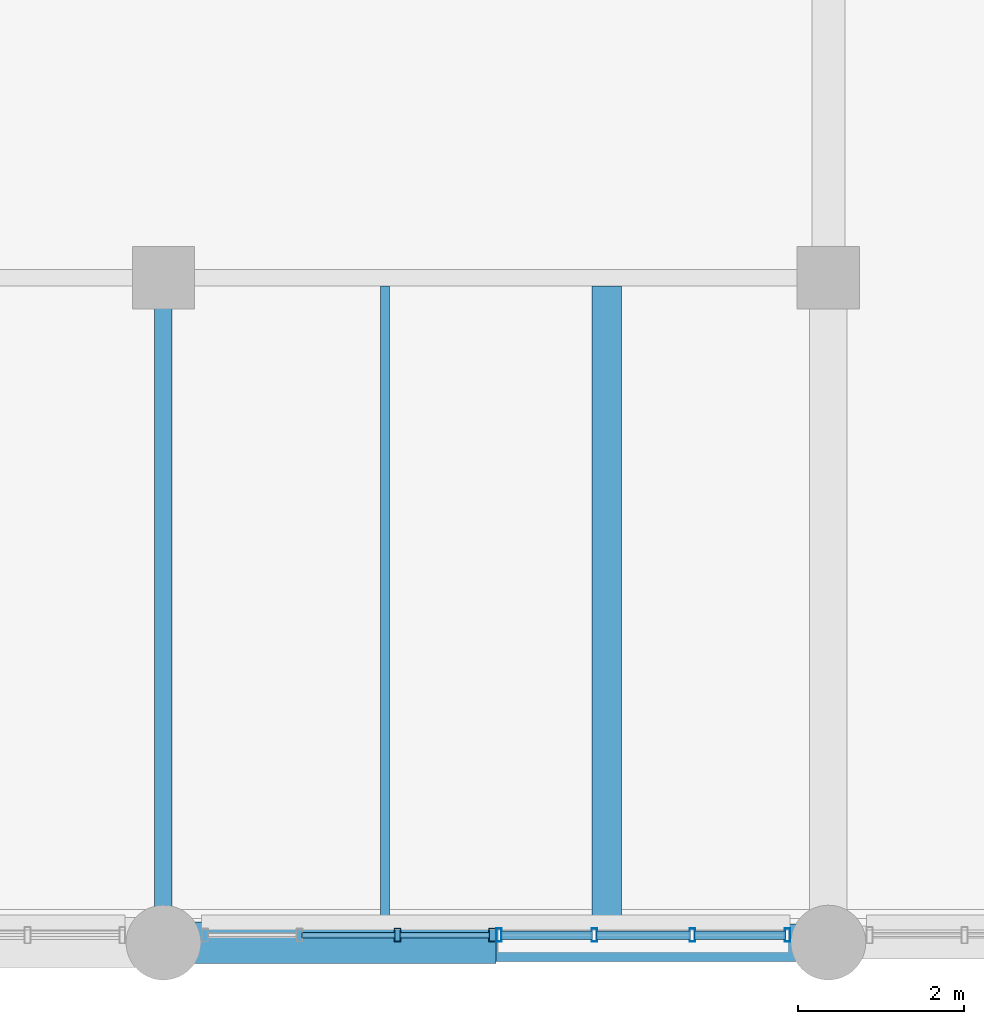
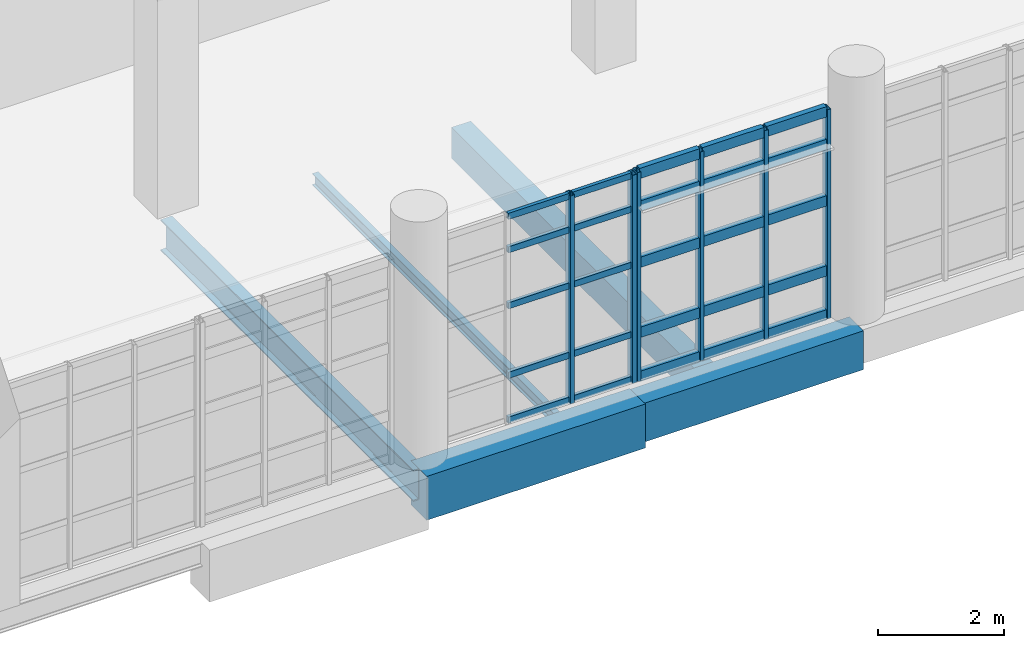
# One storey, part 20 of 127: 31 members, 5 beams, 2 elements without a shape of their own.
"""IFC4 building model written with IfcOpenShell, lengths in metres."""

from ifc_helpers import new_model, si_unit, derived_unit, direction, frame, origin, origin_2d, place, context, subcontext, project, spatial, rectangle, hollow_rectangle, i_section, extrude, material, layer, layer_set, material_profile, profile_set, type_object, element, aggregate, save


model = new_model("IFC4")

# Units and contexts
model_context = context("Model", 3, precision=1e-05, world=origin(), true_north=direction((0.0, 1.0)))
body_context = subcontext(model_context, "Body", "Model", "MODEL_VIEW")
ifc_project = project(units=[si_unit("LENGTHUNIT", "METRE"), si_unit("AREAUNIT", "SQUARE_METRE"), si_unit("VOLUMEUNIT", "CUBIC_METRE"), si_unit("PLANEANGLEUNIT", "RADIAN"), si_unit("MASSUNIT", "GRAM", prefix="KILO"), derived_unit("THERMALTRANSMITTANCEUNIT", [(si_unit("POWERUNIT", "WATT"), 1), (si_unit("LENGTHUNIT", "METRE"), -2), (si_unit("THERMODYNAMICTEMPERATUREUNIT", "KELVIN"), -1)])], contexts=[model_context])

# Site, building, storey
site_placement = place(None, origin())
site = spatial("IfcSite", under=ifc_project, at=site_placement, CompositionType="ELEMENT")
building_placement = place(site_placement, origin())
building = spatial("IfcBuilding", under=site, at=building_placement, Name="Nallur Shell Playhouse", CompositionType="ELEMENT")
storey_placement = place(building_placement, frame((0.0, 0.0, 5.39990234375)))
storey = spatial("IfcBuildingStorey", under=building, at=storey_placement, Name="L02", CompositionType="ELEMENT", Elevation=5.39990234375)

# Beams
ifc_material_1 = material(Name="Steel E250", Category="steel")
ifc_material_profile_1 = material_profile(ifc_material_1, i_section(OverallWidth=0.110107421875, OverallDepth=0.22509765625, WebThickness=0.006591796875, FlangeThickness=0.01171875, FilletRadius=0.011962890625, at=origin_2d()), Name="ISMB 225")
ifc_profile_set_1 = profile_set([ifc_material_profile_1], Name="Steel E250")
beam_type_1 = type_object("IfcBeamType", Name="BM-JST-ISMB225", PredefinedType="JOIST", material=ifc_profile_set_1)
beam_1_placement = place(storey_placement, frame((50.666748046875, 8.248046875, -0.392333984375), z_axis=(0.0, 1.0, 0.0), x_axis=(-1.0, 0.0, 0.0)))
element("IfcBeam", 1, at=beam_1_placement, inside=storey, type_object=beam_type_1, Name="L02 secondary joist 6-A-521", PredefinedType="JOIST", context=body_context, shape_type="SweptSolid", body=[
    extrude(i_section(OverallWidth=0.110107421875, OverallDepth=0.22509765625, WebThickness=0.006591796875, FlangeThickness=0.01171875, FilletRadius=0.011962890625, at=origin_2d()), origin(), (0.0, 0.0, 1.0), 7.654052734375),
])
ifc_material_2 = material(Name="Concrete M30", Category="concrete")
ifc_material_profile_2 = material_profile(ifc_material_2, rectangle(XDim=0.35009765625, YDim=0.60009765625, at=origin_2d()), Name="RC 350x600")
ifc_profile_set_2 = profile_set([ifc_material_profile_2], Name="Concrete M30")
beam_type_2 = type_object("IfcBeamType", Name="BM-RC-350x600", PredefinedType="JOIST", material=ifc_profile_set_2)
beam_2_placement = place(storey_placement, frame((53.333251953125, 8.222900390625, -0.579833984375), z_axis=(0.0, 1.0, 0.0), x_axis=(-1.0, 0.0, 0.0)))
element("IfcBeam", 2, at=beam_2_placement, inside=storey, type_object=beam_type_2, Name="L02 secondary joist 6-A-522", PredefinedType="JOIST", context=body_context, shape_type="SweptSolid", body=[
    extrude(rectangle(XDim=0.35009765625, YDim=0.60009765625, at=origin_2d()), origin(), (0.0, 0.0, 1.0), 7.67919921875),
])
ifc_material_3 = material(Name="Concrete M35", Category="concrete")
ifc_material_profile_3 = material_profile(ifc_material_3, rectangle(XDim=0.449951171875, YDim=0.75, at=origin_2d()), Name="RC 450x750")
ifc_profile_set_3 = profile_set([ifc_material_profile_3], Name="Concrete M35")
beam_type_3 = type_object("IfcBeamType", Name="BM-RC-450x750", PredefinedType="BEAM", material=ifc_profile_set_3)
beam_3_placement = place(storey_placement, frame((52.0, 8.0, -0.65478515625), z_axis=(1.0, 0.0, 0.0), x_axis=(0.0, 1.0, 0.0)))
element("IfcBeam", 3, at=beam_3_placement, inside=storey, type_object=beam_type_3, Name="L02 girder X-A-318", PredefinedType="BEAM", context=body_context, shape_type="SweptSolid", body=[
    extrude(rectangle(XDim=0.449951171875, YDim=0.75, at=origin_2d()), origin(), (0.0, 0.0, 1.0), 4.0),
])
ifc_material_4 = material(Name="Concrete M40", Category="concrete")
ifc_material_profile_4 = material_profile(ifc_material_4, rectangle(XDim=0.5, YDim=0.85009765625, at=origin_2d()), Name="RC 500x850")
ifc_profile_set_4 = profile_set([ifc_material_profile_4], Name="Concrete M40")
beam_type_4 = type_object("IfcBeamType", Name="BM-RC-500x850", PredefinedType="BEAM", material=ifc_profile_set_4)
beam_4_placement = place(storey_placement, frame((48.0, 8.0, -0.704833984375), z_axis=(1.0, 0.0, 0.0), x_axis=(0.0, 1.0, 0.0)))
element("IfcBeam", 4, at=beam_4_placement, inside=storey, type_object=beam_type_4, Name="L02 girder X-A-317", PredefinedType="BEAM", context=body_context, shape_type="SweptSolid", body=[
    extrude(rectangle(XDim=0.5, YDim=0.85009765625, at=origin_2d()), origin(), (0.0, 0.0, 1.0), 4.0),
])
ifc_material_5 = material(Name="Steel E350", Category="steel")
ifc_material_profile_5 = material_profile(ifc_material_5, i_section(OverallWidth=0.2099609375, OverallDepth=0.60009765625, WebThickness=0.011962890625, FlangeThickness=0.020751953125, FilletRadius=0.02001953125, at=origin_2d()), Name="ISMB 600")
ifc_profile_set_5 = profile_set([ifc_material_profile_5], Name="Steel E350")
beam_type_5 = type_object("IfcBeamType", Name="BM-ST-ISMB600", PredefinedType="BEAM", material=ifc_profile_set_5)
beam_5_placement = place(storey_placement, frame((48.0, 8.0, -0.579833984375), z_axis=(0.0, 1.0, 0.0), x_axis=(-1.0, 0.0, 0.0)))
element("IfcBeam", 5, at=beam_5_placement, inside=storey, type_object=beam_type_5, Name="L02 girder Y-6-424", PredefinedType="BEAM", context=body_context, shape_type="SweptSolid", body=[
    extrude(i_section(OverallWidth=0.2099609375, OverallDepth=0.60009765625, WebThickness=0.011962890625, FlangeThickness=0.020751953125, FilletRadius=0.02001953125, at=origin_2d()), origin(), (0.0, 0.0, 1.0), 8.0),
])

# Curtain wall, members
ifc_material_6 = material(Name="Anodised Aluminium Double-Glazed Facade System", Category="aluminium")
ifc_layer_1 = layer(ifc_material_6, 0.172119140625)
ifc_layer_set_1 = layer_set([ifc_layer_1], Name="Anodised Aluminium Double-Glazed Facade System")
curtain_wall_type_1 = type_object("IfcCurtainWallType", Name="CW-UNIT-21", PredefinedType="NOTDEFINED", material=ifc_layer_set_1)
curtain_wall_1_placement = place(storey_placement, origin())
curtain_wall_1 = element("IfcCurtainWall", 6, at=curtain_wall_1_placement, inside=storey, type_object=curtain_wall_type_1, Name="Unitised curtain wall CW-053 (L02)", PredefinedType="NOTDEFINED")
ifc_material_7 = material(Name="Aluminium Alloy 6063-T6 Mullion", Category="aluminium")
ifc_material_profile_6 = material_profile(ifc_material_7, hollow_rectangle(XDim=0.080078125, YDim=0.159912109375, WallThickness=0.006103515625, at=origin_2d()), Name="RHS 160x80x6")
ifc_profile_set_6 = profile_set([ifc_material_profile_6], Name="Aluminium Alloy 6063-T6 Mullion")
member_type_1 = type_object("IfcMemberType", Name="MB-CW-MUL150", PredefinedType="MULLION", material=ifc_profile_set_6)
member_1_placement = place(storey_placement, frame((51.955078125, 8.090087890625, -0.014892578125), z_axis=(0.0, 0.0, 1.0), x_axis=(-1.0, 0.0, 0.0)))
member_1 = element("IfcMember", 7, at=member_1_placement, type_object=member_type_1, Name="CW-21 mullion 1", PredefinedType="MULLION", context=body_context, shape_type="SweptSolid", body=[
    extrude(hollow_rectangle(XDim=0.080078125, YDim=0.159912109375, WallThickness=0.006103515625, at=origin_2d()), origin(), (0.0, 0.0, 1.0), 4.02392578125),
])
member_2_placement = place(storey_placement, frame((50.81591796875, 8.090087890625, -0.014892578125), z_axis=(0.0, 0.0, 1.0), x_axis=(-1.0, 0.0, 0.0)))
member_2 = element("IfcMember", 8, at=member_2_placement, type_object=member_type_1, Name="CW-21 mullion 2", PredefinedType="MULLION", context=body_context, shape_type="SweptSolid", body=[
    extrude(hollow_rectangle(XDim=0.080078125, YDim=0.159912109375, WallThickness=0.006103515625, at=origin_2d()), origin(), (0.0, 0.0, 1.0), 4.02392578125),
])

ifc_layer_2 = layer(ifc_material_6, 0.16796875)
ifc_layer_set_2 = layer_set([ifc_layer_2], Name="Anodised Aluminium Double-Glazed Facade System")
curtain_wall_type_2 = type_object("IfcCurtainWallType", Name="CW-UNIT-20", PredefinedType="NOTDEFINED", material=ifc_layer_set_2)
curtain_wall_2_placement = place(storey_placement, origin())
curtain_wall_2 = element("IfcCurtainWall", 9, at=curtain_wall_2_placement, inside=storey, type_object=curtain_wall_type_2, Name="Unitised curtain wall CW-052 (L02)", PredefinedType="NOTDEFINED")
ifc_material_profile_7 = material_profile(ifc_material_7, hollow_rectangle(XDim=0.06494140625, YDim=0.159912109375, WallThickness=0.00390625, at=origin_2d()), Name="ALU 65x160x4")
ifc_profile_set_7 = profile_set([ifc_material_profile_7], Name="Aluminium Alloy 6063-T6 Mullion")
member_type_2 = type_object("IfcMemberType", Name="MB-CW-MUL160", PredefinedType="MULLION", material=ifc_profile_set_7)
member_3_placement = place(storey_placement, frame((55.509521484375, 8.090087890625, -0.014892578125), z_axis=(0.0, 0.0, 1.0), x_axis=(-1.0, 0.0, 0.0)))
member_3 = element("IfcMember", 10, at=member_3_placement, type_object=member_type_2, Name="CW-20 mullion 1", PredefinedType="MULLION", context=body_context, shape_type="SweptSolid", body=[
    extrude(hollow_rectangle(XDim=0.06494140625, YDim=0.159912109375, WallThickness=0.00390625, at=origin_2d()), origin(), (0.0, 0.0, 1.0), 4.0439453125),
])
member_4_placement = place(storey_placement, frame((54.363037109375, 8.090087890625, -0.014892578125), z_axis=(0.0, 0.0, 1.0), x_axis=(-1.0, 0.0, 0.0)))
member_4 = element("IfcMember", 11, at=member_4_placement, type_object=member_type_2, Name="CW-20 mullion 2", PredefinedType="MULLION", context=body_context, shape_type="SweptSolid", body=[
    extrude(hollow_rectangle(XDim=0.06494140625, YDim=0.159912109375, WallThickness=0.00390625, at=origin_2d()), origin(), (0.0, 0.0, 1.0), 4.0439453125),
])
member_5_placement = place(storey_placement, frame((53.18408203125, 8.090087890625, -0.014892578125), z_axis=(0.0, 0.0, 1.0), x_axis=(-1.0, 0.0, 0.0)))
member_5 = element("IfcMember", 12, at=member_5_placement, type_object=member_type_2, Name="CW-20 mullion 3", PredefinedType="MULLION", context=body_context, shape_type="SweptSolid", body=[
    extrude(hollow_rectangle(XDim=0.06494140625, YDim=0.159912109375, WallThickness=0.00390625, at=origin_2d()), origin(), (0.0, 0.0, 1.0), 4.0439453125),
])
member_6_placement = place(storey_placement, frame((52.03759765625, 8.090087890625, -0.014892578125), z_axis=(0.0, 0.0, 1.0), x_axis=(-1.0, 0.0, 0.0)))
member_6 = element("IfcMember", 13, at=member_6_placement, type_object=member_type_2, Name="CW-20 mullion 4", PredefinedType="MULLION", context=body_context, shape_type="SweptSolid", body=[
    extrude(hollow_rectangle(XDim=0.06494140625, YDim=0.159912109375, WallThickness=0.00390625, at=origin_2d()), origin(), (0.0, 0.0, 1.0), 4.0439453125),
])

# Member
ifc_material_8 = material(Name="Aluminium Alloy 6063-T6 Transom", Category="aluminium")
ifc_material_profile_8 = material_profile(ifc_material_8, hollow_rectangle(XDim=0.06494140625, YDim=0.1201171875, WallThickness=0.00390625, at=origin_2d()), Name="ALU 65x120x4")
ifc_profile_set_8 = profile_set([ifc_material_profile_8], Name="Aluminium Alloy 6063-T6 Transom")
member_type_3 = type_object("IfcMemberType", Name="MB-CW-TRN120", PredefinedType="USERDEFINED", material=ifc_profile_set_8)
member_7_placement = place(storey_placement, frame((51.923095703125, 8.090087890625, 0.03271484375), z_axis=(-1.0, 0.0, 0.0), x_axis=(0.0, -1.0, 0.0)))
member_7 = element("IfcMember", 14, at=member_7_placement, type_object=member_type_3, Name="CW-21 transom 1.1", ObjectType="TRANSOM", PredefinedType="USERDEFINED", context=body_context, shape_type="SweptSolid", body=[
    extrude(hollow_rectangle(XDim=0.06494140625, YDim=0.1201171875, WallThickness=0.00390625, at=origin_2d()), origin(), (0.0, 0.0, 1.0), 1.0751953125),
])

member_8_placement = place(storey_placement, frame((51.923095703125, 8.090087890625, 0.900146484375), z_axis=(-1.0, 0.0, 0.0), x_axis=(0.0, -1.0, 0.0)))
member_8 = element("IfcMember", 15, at=member_8_placement, type_object=member_type_3, Name="CW-21 transom 1.2", ObjectType="TRANSOM", PredefinedType="USERDEFINED", context=body_context, shape_type="SweptSolid", body=[
    extrude(hollow_rectangle(XDim=0.06494140625, YDim=0.1201171875, WallThickness=0.00390625, at=origin_2d()), origin(), (0.0, 0.0, 1.0), 1.0751953125),
])

member_9_placement = place(storey_placement, frame((51.923095703125, 8.090087890625, 2.2431640625), z_axis=(-1.0, 0.0, 0.0), x_axis=(0.0, -1.0, 0.0)))
member_9 = element("IfcMember", 16, at=member_9_placement, type_object=member_type_3, Name="CW-21 transom 1.3", ObjectType="TRANSOM", PredefinedType="USERDEFINED", context=body_context, shape_type="SweptSolid", body=[
    extrude(hollow_rectangle(XDim=0.06494140625, YDim=0.1201171875, WallThickness=0.00390625, at=origin_2d()), origin(), (0.0, 0.0, 1.0), 1.0751953125),
])

member_10_placement = place(storey_placement, frame((51.923095703125, 8.090087890625, 3.3251953125), z_axis=(-1.0, 0.0, 0.0), x_axis=(0.0, -1.0, 0.0)))
member_10 = element("IfcMember", 17, at=member_10_placement, type_object=member_type_3, Name="CW-21 transom 1.4", ObjectType="TRANSOM", PredefinedType="USERDEFINED", context=body_context, shape_type="SweptSolid", body=[
    extrude(hollow_rectangle(XDim=0.06494140625, YDim=0.1201171875, WallThickness=0.00390625, at=origin_2d()), origin(), (0.0, 0.0, 1.0), 1.0751953125),
])

member_11_placement = place(storey_placement, frame((51.923095703125, 8.090087890625, 3.97265625), z_axis=(-1.0, 0.0, 0.0), x_axis=(0.0, -1.0, 0.0)))
member_11 = element("IfcMember", 18, at=member_11_placement, type_object=member_type_3, Name="CW-21 transom 1.5", ObjectType="TRANSOM", PredefinedType="USERDEFINED", context=body_context, shape_type="SweptSolid", body=[
    extrude(hollow_rectangle(XDim=0.06494140625, YDim=0.1201171875, WallThickness=0.00390625, at=origin_2d()), origin(), (0.0, 0.0, 1.0), 1.0751953125),
])

member_12_placement = place(storey_placement, frame((50.783935546875, 8.090087890625, 0.03271484375), z_axis=(-1.0, 0.0, 0.0), x_axis=(0.0, -1.0, 0.0)))
member_12 = element("IfcMember", 19, at=member_12_placement, type_object=member_type_3, Name="CW-21 transom 2.1", ObjectType="TRANSOM", PredefinedType="USERDEFINED", context=body_context, shape_type="SweptSolid", body=[
    extrude(hollow_rectangle(XDim=0.06494140625, YDim=0.1201171875, WallThickness=0.00390625, at=origin_2d()), origin(), (0.0, 0.0, 1.0), 1.114990234375),
])

member_13_placement = place(storey_placement, frame((50.783935546875, 8.090087890625, 0.900146484375), z_axis=(-1.0, 0.0, 0.0), x_axis=(0.0, -1.0, 0.0)))
member_13 = element("IfcMember", 20, at=member_13_placement, type_object=member_type_3, Name="CW-21 transom 2.2", ObjectType="TRANSOM", PredefinedType="USERDEFINED", context=body_context, shape_type="SweptSolid", body=[
    extrude(hollow_rectangle(XDim=0.06494140625, YDim=0.1201171875, WallThickness=0.00390625, at=origin_2d()), origin(), (0.0, 0.0, 1.0), 1.114990234375),
])

member_14_placement = place(storey_placement, frame((50.783935546875, 8.090087890625, 2.2431640625), z_axis=(-1.0, 0.0, 0.0), x_axis=(0.0, -1.0, 0.0)))
member_14 = element("IfcMember", 21, at=member_14_placement, type_object=member_type_3, Name="CW-21 transom 2.3", ObjectType="TRANSOM", PredefinedType="USERDEFINED", context=body_context, shape_type="SweptSolid", body=[
    extrude(hollow_rectangle(XDim=0.06494140625, YDim=0.1201171875, WallThickness=0.00390625, at=origin_2d()), origin(), (0.0, 0.0, 1.0), 1.114990234375),
])

member_15_placement = place(storey_placement, frame((50.783935546875, 8.090087890625, 3.3251953125), z_axis=(-1.0, 0.0, 0.0), x_axis=(0.0, -1.0, 0.0)))
member_15 = element("IfcMember", 22, at=member_15_placement, type_object=member_type_3, Name="CW-21 transom 2.4", ObjectType="TRANSOM", PredefinedType="USERDEFINED", context=body_context, shape_type="SweptSolid", body=[
    extrude(hollow_rectangle(XDim=0.06494140625, YDim=0.1201171875, WallThickness=0.00390625, at=origin_2d()), origin(), (0.0, 0.0, 1.0), 1.114990234375),
])

member_16_placement = place(storey_placement, frame((50.783935546875, 8.090087890625, 3.97265625), z_axis=(-1.0, 0.0, 0.0), x_axis=(0.0, -1.0, 0.0)))
member_16 = element("IfcMember", 23, at=member_16_placement, type_object=member_type_3, Name="CW-21 transom 2.5", ObjectType="TRANSOM", PredefinedType="USERDEFINED", context=body_context, shape_type="SweptSolid", body=[
    extrude(hollow_rectangle(XDim=0.06494140625, YDim=0.1201171875, WallThickness=0.00390625, at=origin_2d()), origin(), (0.0, 0.0, 1.0), 1.114990234375),
])

aggregate(curtain_wall_1, [member_1, member_2, member_7, member_8, member_9, member_10, member_11, member_12, member_13, member_14, member_15, member_16])

ifc_material_profile_9 = material_profile(ifc_material_8, hollow_rectangle(XDim=0.10009765625, YDim=0.199951171875, WallThickness=0.008056640625, at=origin_2d()), Name="RHS 200x100x8")
ifc_profile_set_9 = profile_set([ifc_material_profile_9], Name="Aluminium Alloy 6063-T6 Transom")
member_type_4 = type_object("IfcMemberType", Name="MB-CW-TRN140", PredefinedType="USERDEFINED", material=ifc_profile_set_9)
member_17_placement = place(storey_placement, frame((55.485107421875, 8.090087890625, 0.050048828125), z_axis=(-1.0, 0.0, 0.0), x_axis=(0.0, -1.0, 0.0)))
member_17 = element("IfcMember", 24, at=member_17_placement, type_object=member_type_4, Name="CW-20 transom 1.1", ObjectType="TRANSOM", PredefinedType="USERDEFINED", context=body_context, shape_type="SweptSolid", body=[
    extrude(hollow_rectangle(XDim=0.10009765625, YDim=0.199951171875, WallThickness=0.008056640625, at=origin_2d()), origin(), (0.0, 0.0, 1.0), 1.09765625),
])

member_18_placement = place(storey_placement, frame((55.485107421875, 8.090087890625, 0.900146484375), z_axis=(-1.0, 0.0, 0.0), x_axis=(0.0, -1.0, 0.0)))
member_18 = element("IfcMember", 25, at=member_18_placement, type_object=member_type_4, Name="CW-20 transom 1.2", ObjectType="TRANSOM", PredefinedType="USERDEFINED", context=body_context, shape_type="SweptSolid", body=[
    extrude(hollow_rectangle(XDim=0.10009765625, YDim=0.199951171875, WallThickness=0.008056640625, at=origin_2d()), origin(), (0.0, 0.0, 1.0), 1.09765625),
])

member_19_placement = place(storey_placement, frame((55.485107421875, 8.090087890625, 2.254150390625), z_axis=(-1.0, 0.0, 0.0), x_axis=(0.0, -1.0, 0.0)))
member_19 = element("IfcMember", 26, at=member_19_placement, type_object=member_type_4, Name="CW-20 transom 1.3", ObjectType="TRANSOM", PredefinedType="USERDEFINED", context=body_context, shape_type="SweptSolid", body=[
    extrude(hollow_rectangle(XDim=0.10009765625, YDim=0.199951171875, WallThickness=0.008056640625, at=origin_2d()), origin(), (0.0, 0.0, 1.0), 1.09765625),
])

member_20_placement = place(storey_placement, frame((55.485107421875, 8.090087890625, 3.34521484375), z_axis=(-1.0, 0.0, 0.0), x_axis=(0.0, -1.0, 0.0)))
member_20 = element("IfcMember", 27, at=member_20_placement, type_object=member_type_4, Name="CW-20 transom 1.4", ObjectType="TRANSOM", PredefinedType="USERDEFINED", context=body_context, shape_type="SweptSolid", body=[
    extrude(hollow_rectangle(XDim=0.10009765625, YDim=0.199951171875, WallThickness=0.008056640625, at=origin_2d()), origin(), (0.0, 0.0, 1.0), 1.09765625),
])

member_21_placement = place(storey_placement, frame((55.485107421875, 8.090087890625, 3.97509765625), z_axis=(-1.0, 0.0, 0.0), x_axis=(0.0, -1.0, 0.0)))
member_21 = element("IfcMember", 28, at=member_21_placement, type_object=member_type_4, Name="CW-20 transom 1.5", ObjectType="TRANSOM", PredefinedType="USERDEFINED", context=body_context, shape_type="SweptSolid", body=[
    extrude(hollow_rectangle(XDim=0.10009765625, YDim=0.199951171875, WallThickness=0.008056640625, at=origin_2d()), origin(), (0.0, 0.0, 1.0), 1.09765625),
])

member_22_placement = place(storey_placement, frame((54.33837890625, 8.090087890625, 0.050048828125), z_axis=(-1.0, 0.0, 0.0), x_axis=(0.0, -1.0, 0.0)))
member_22 = element("IfcMember", 29, at=member_22_placement, type_object=member_type_4, Name="CW-20 transom 2.1", ObjectType="TRANSOM", PredefinedType="USERDEFINED", context=body_context, shape_type="SweptSolid", body=[
    extrude(hollow_rectangle(XDim=0.10009765625, YDim=0.199951171875, WallThickness=0.008056640625, at=origin_2d()), origin(), (0.0, 0.0, 1.0), 1.1298828125),
])

member_23_placement = place(storey_placement, frame((54.33837890625, 8.090087890625, 0.900146484375), z_axis=(-1.0, 0.0, 0.0), x_axis=(0.0, -1.0, 0.0)))
member_23 = element("IfcMember", 30, at=member_23_placement, type_object=member_type_4, Name="CW-20 transom 2.2", ObjectType="TRANSOM", PredefinedType="USERDEFINED", context=body_context, shape_type="SweptSolid", body=[
    extrude(hollow_rectangle(XDim=0.10009765625, YDim=0.199951171875, WallThickness=0.008056640625, at=origin_2d()), origin(), (0.0, 0.0, 1.0), 1.1298828125),
])

member_24_placement = place(storey_placement, frame((54.33837890625, 8.090087890625, 2.254150390625), z_axis=(-1.0, 0.0, 0.0), x_axis=(0.0, -1.0, 0.0)))
member_24 = element("IfcMember", 31, at=member_24_placement, type_object=member_type_4, Name="CW-20 transom 2.3", ObjectType="TRANSOM", PredefinedType="USERDEFINED", context=body_context, shape_type="SweptSolid", body=[
    extrude(hollow_rectangle(XDim=0.10009765625, YDim=0.199951171875, WallThickness=0.008056640625, at=origin_2d()), origin(), (0.0, 0.0, 1.0), 1.1298828125),
])

member_25_placement = place(storey_placement, frame((54.33837890625, 8.090087890625, 3.34521484375), z_axis=(-1.0, 0.0, 0.0), x_axis=(0.0, -1.0, 0.0)))
member_25 = element("IfcMember", 32, at=member_25_placement, type_object=member_type_4, Name="CW-20 transom 2.4", ObjectType="TRANSOM", PredefinedType="USERDEFINED", context=body_context, shape_type="SweptSolid", body=[
    extrude(hollow_rectangle(XDim=0.10009765625, YDim=0.199951171875, WallThickness=0.008056640625, at=origin_2d()), origin(), (0.0, 0.0, 1.0), 1.1298828125),
])

member_26_placement = place(storey_placement, frame((54.33837890625, 8.090087890625, 3.97509765625), z_axis=(-1.0, 0.0, 0.0), x_axis=(0.0, -1.0, 0.0)))
member_26 = element("IfcMember", 33, at=member_26_placement, type_object=member_type_4, Name="CW-20 transom 2.5", ObjectType="TRANSOM", PredefinedType="USERDEFINED", context=body_context, shape_type="SweptSolid", body=[
    extrude(hollow_rectangle(XDim=0.10009765625, YDim=0.199951171875, WallThickness=0.008056640625, at=origin_2d()), origin(), (0.0, 0.0, 1.0), 1.1298828125),
])

member_27_placement = place(storey_placement, frame((53.159423828125, 8.090087890625, 0.050048828125), z_axis=(-1.0, 0.0, 0.0), x_axis=(0.0, -1.0, 0.0)))
member_27 = element("IfcMember", 34, at=member_27_placement, type_object=member_type_4, Name="CW-20 transom 3.1", ObjectType="TRANSOM", PredefinedType="USERDEFINED", context=body_context, shape_type="SweptSolid", body=[
    extrude(hollow_rectangle(XDim=0.10009765625, YDim=0.199951171875, WallThickness=0.008056640625, at=origin_2d()), origin(), (0.0, 0.0, 1.0), 1.097412109375),
])

member_28_placement = place(storey_placement, frame((53.159423828125, 8.090087890625, 0.900146484375), z_axis=(-1.0, 0.0, 0.0), x_axis=(0.0, -1.0, 0.0)))
member_28 = element("IfcMember", 35, at=member_28_placement, type_object=member_type_4, Name="CW-20 transom 3.2", ObjectType="TRANSOM", PredefinedType="USERDEFINED", context=body_context, shape_type="SweptSolid", body=[
    extrude(hollow_rectangle(XDim=0.10009765625, YDim=0.199951171875, WallThickness=0.008056640625, at=origin_2d()), origin(), (0.0, 0.0, 1.0), 1.097412109375),
])

member_29_placement = place(storey_placement, frame((53.159423828125, 8.090087890625, 2.254150390625), z_axis=(-1.0, 0.0, 0.0), x_axis=(0.0, -1.0, 0.0)))
member_29 = element("IfcMember", 36, at=member_29_placement, type_object=member_type_4, Name="CW-20 transom 3.3", ObjectType="TRANSOM", PredefinedType="USERDEFINED", context=body_context, shape_type="SweptSolid", body=[
    extrude(hollow_rectangle(XDim=0.10009765625, YDim=0.199951171875, WallThickness=0.008056640625, at=origin_2d()), origin(), (0.0, 0.0, 1.0), 1.097412109375),
])

member_30_placement = place(storey_placement, frame((53.159423828125, 8.090087890625, 3.34521484375), z_axis=(-1.0, 0.0, 0.0), x_axis=(0.0, -1.0, 0.0)))
member_30 = element("IfcMember", 37, at=member_30_placement, type_object=member_type_4, Name="CW-20 transom 3.4", ObjectType="TRANSOM", PredefinedType="USERDEFINED", context=body_context, shape_type="SweptSolid", body=[
    extrude(hollow_rectangle(XDim=0.10009765625, YDim=0.199951171875, WallThickness=0.008056640625, at=origin_2d()), origin(), (0.0, 0.0, 1.0), 1.097412109375),
])

member_31_placement = place(storey_placement, frame((53.159423828125, 8.090087890625, 3.97509765625), z_axis=(-1.0, 0.0, 0.0), x_axis=(0.0, -1.0, 0.0)))
member_31 = element("IfcMember", 38, at=member_31_placement, type_object=member_type_4, Name="CW-20 transom 3.5", ObjectType="TRANSOM", PredefinedType="USERDEFINED", context=body_context, shape_type="SweptSolid", body=[
    extrude(hollow_rectangle(XDim=0.10009765625, YDim=0.199951171875, WallThickness=0.008056640625, at=origin_2d()), origin(), (0.0, 0.0, 1.0), 1.097412109375),
])

aggregate(curtain_wall_2, [member_3, member_4, member_5, member_6, member_17, member_18, member_19, member_20, member_21, member_22, member_23, member_24, member_25, member_26, member_27, member_28, member_29, member_30, member_31])

save(model, "model.ifc")
